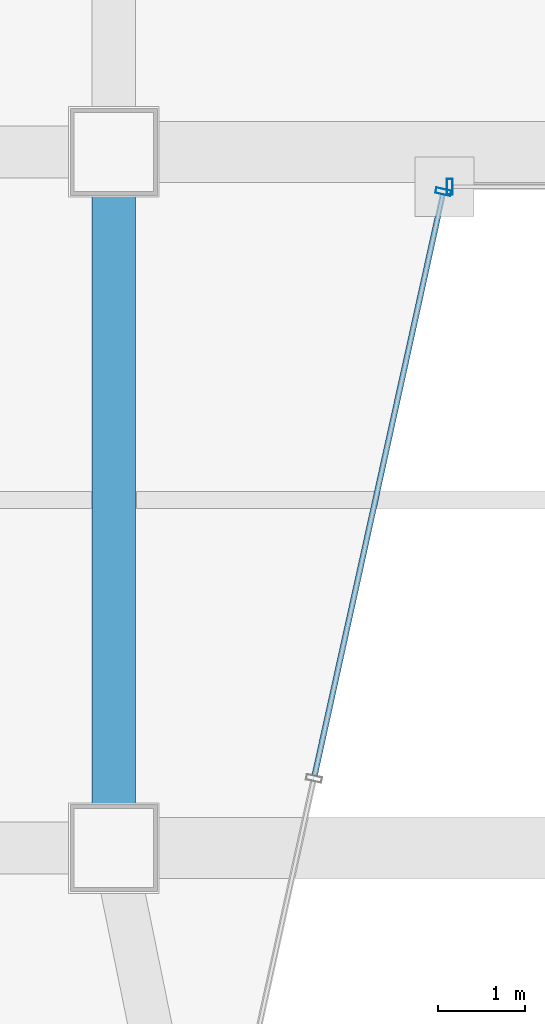
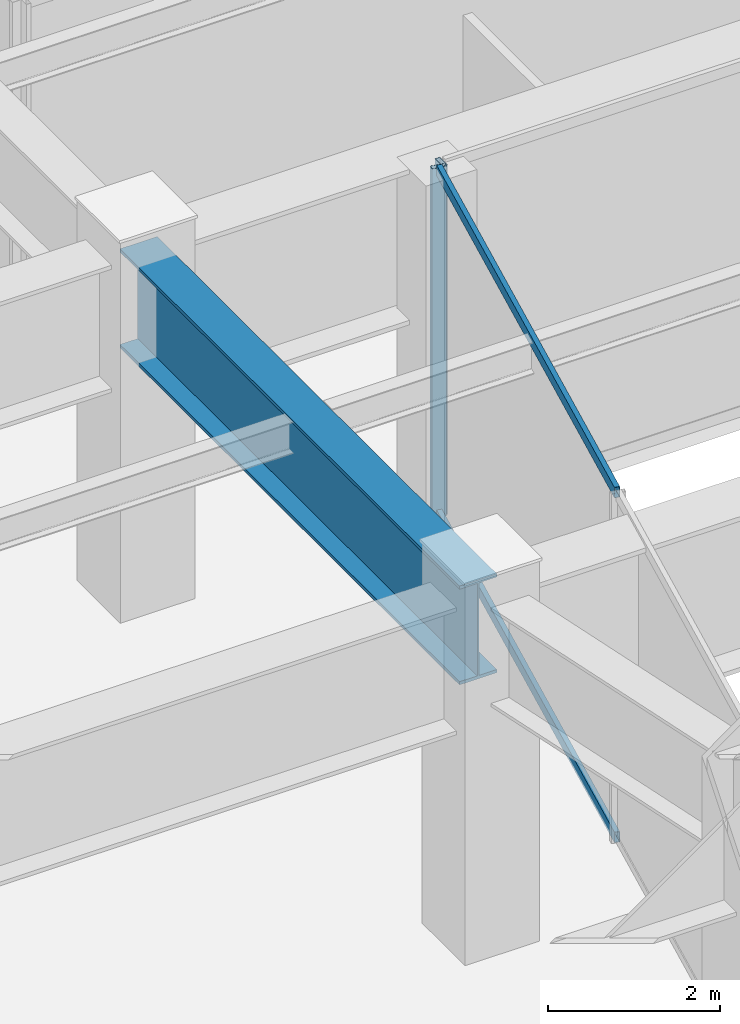
# One storey, part 8 of 42: 4 members, 1 beam, 2 elements without a shape of their own.
"""IFC4 building model written with IfcOpenShell, lengths in metres."""

from ifc_helpers import new_model, si_unit, direction, frame, origin, origin_2d, place, context, subcontext, project, spatial, hollow_rectangle, i_section, extrude, material, material_profile, profile_set, type_object, element, aggregate, save


model = new_model("IFC4")

# Units and contexts
model_context = context("Model", 3, precision=1e-05, world=origin(), true_north=direction((0.0, 1.0)))
body_context = subcontext(model_context, "Body", "Model", "MODEL_VIEW")
ifc_project = project(units=[si_unit("LENGTHUNIT", "METRE"), si_unit("AREAUNIT", "SQUARE_METRE"), si_unit("VOLUMEUNIT", "CUBIC_METRE"), si_unit("PLANEANGLEUNIT", "RADIAN"), si_unit("MASSUNIT", "GRAM", prefix="KILO")], contexts=[model_context])

# Site, building, storey
site_placement = place(None, origin())
site = spatial("IfcSite", under=ifc_project, at=site_placement, CompositionType="ELEMENT")
building_placement = place(site_placement, origin())
building = spatial("IfcBuilding", under=site, at=building_placement, Name="Saevonmaru Cultural Tower", CompositionType="ELEMENT")
storey_placement = place(building_placement, frame((0.0, 0.0, 33.0)))
storey = spatial("IfcBuildingStorey", under=building, at=storey_placement, Name="L06", CompositionType="ELEMENT", Elevation=33.0)

# Beam
ifc_material_1 = material(Name="Steel HSA600 (600 MPa)", Category="steel")
ifc_material_profile_1 = material_profile(ifc_material_1, i_section(OverallWidth=0.5, OverallDepth=1.39990234375, WebThickness=0.02392578125, FlangeThickness=0.044921875, at=origin_2d()), Name="PG-1400x500x24x45")
ifc_profile_set_1 = profile_set([ifc_material_profile_1], Name="Steel HSA600 (600 MPa)")
beam_type = type_object("IfcBeamType", Name="BM-TG-PG1400", PredefinedType="BEAM", material=ifc_profile_set_1)
beam_placement = place(storey_placement, frame((22.800048828125, 8.06005859375, 4.25), z_axis=(0.0, 1.0, 0.0), x_axis=(-1.0, 0.0, 0.0)))
element("IfcBeam", 1, at=beam_placement, inside=storey, type_object=beam_type, Name="L06 Podium Girder NS2-2", PredefinedType="BEAM", context=body_context, shape_type="SweptSolid", body=[
    extrude(i_section(OverallWidth=0.5, OverallDepth=1.39990234375, WebThickness=0.02392578125, FlangeThickness=0.044921875, at=origin_2d()), origin(), (0.0, 0.0, 1.0), 7.8798828125),
])

# Curtain wall, member
ifc_material_2 = material(Name="Satin Bronze Anodised Aluminium", Category="aluminium")
curtain_wall_type = type_object("IfcCurtainWallType", Name="CW-SKY-GLZ", PredefinedType="NOTDEFINED", material=ifc_material_2)
curtain_wall_1_placement = place(storey_placement, origin())
curtain_wall_1 = element("IfcCurtainWall", 2, at=curtain_wall_1_placement, inside=storey, type_object=curtain_wall_type, Name="L06 Unitised Curtain Wall E3", PredefinedType="NOTDEFINED")
ifc_material_profile_2 = material_profile(ifc_material_2, hollow_rectangle(XDim=0.06494140625, YDim=0.179931640625, WallThickness=0.00390625, at=origin_2d()), Name="ALU-MULL-180x65x4")
ifc_profile_set_2 = profile_set([ifc_material_profile_2], Name="Satin Bronze Anodised Aluminium")
member_type_1 = type_object("IfcMemberType", Name="ML-CW-180x65", PredefinedType="MULLION", material=ifc_profile_set_2)
member_1_placement = place(storey_placement, frame((26.587158203125, 15.54150390625, 0.0), z_axis=(0.0, 0.0, 1.0), x_axis=(0.215413319953, 0.976522965212, 0.0)))
member_1 = element("IfcMember", 3, at=member_1_placement, type_object=member_type_1, Name="CW-TW-L06-E3 mullion 3", PredefinedType="MULLION", context=body_context, shape_type="SweptSolid", body=[
    extrude(hollow_rectangle(XDim=0.06494140625, YDim=0.179931640625, WallThickness=0.00390625, at=origin_2d()), origin(), (0.0, 0.0, 1.0), 4.949951171875),
])

curtain_wall_2_placement = place(storey_placement, origin())
curtain_wall_2 = element("IfcCurtainWall", 4, at=curtain_wall_2_placement, inside=storey, type_object=curtain_wall_type, Name="L06 Unitised Curtain Wall E4", PredefinedType="NOTDEFINED")
member_2_placement = place(storey_placement, frame((26.659912109375, 15.60009765625, 0.0), z_axis=(0.0, 0.0, 1.0), x_axis=(1.0, 0.0, 0.0)))
member_2 = element("IfcMember", 5, at=member_2_placement, type_object=member_type_1, Name="CW-TW-L06-E4 mullion 1", PredefinedType="MULLION", context=body_context, shape_type="SweptSolid", body=[
    extrude(hollow_rectangle(XDim=0.06494140625, YDim=0.179931640625, WallThickness=0.00390625, at=origin_2d()), origin(), (0.0, 0.0, 1.0), 4.949951171875),
])
aggregate(curtain_wall_2, [member_2])

# Member
ifc_material_profile_3 = material_profile(ifc_material_2, hollow_rectangle(XDim=0.06494140625, YDim=0.14990234375, WallThickness=0.00390625, at=origin_2d()), Name="ALU-TRAN-150x65x4")
ifc_profile_set_3 = profile_set([ifc_material_profile_3], Name="Satin Bronze Anodised Aluminium")
member_type_2 = type_object("IfcMemberType", Name="TR-CW-150x65", PredefinedType="USERDEFINED", material=ifc_profile_set_3)
member_3_placement = place(storey_placement, frame((25.10693359375, 8.831787109375, 0.032470703125), z_axis=(0.215418166944, 0.976521895991, 0.0), x_axis=(-0.976521895991, 0.215418166944, 0.0)))
member_3 = element("IfcMember", 6, at=member_3_placement, type_object=member_type_2, Name="CW-TW-L06-E3 transom 2.1", ObjectType="TRANSOM", PredefinedType="USERDEFINED", context=body_context, shape_type="SweptSolid", body=[
    extrude(hollow_rectangle(XDim=0.06494140625, YDim=0.14990234375, WallThickness=0.00390625, at=origin_2d()), origin(), (0.0, 0.0, 1.0), 6.838623046875),
])

member_4_placement = place(storey_placement, frame((25.10693359375, 8.831787109375, 4.91748046875), z_axis=(0.215418166944, 0.976521895991, 0.0), x_axis=(-0.976521895991, 0.215418166944, 0.0)))
member_4 = element("IfcMember", 7, at=member_4_placement, type_object=member_type_2, Name="CW-TW-L06-E3 transom 2.2", ObjectType="TRANSOM", PredefinedType="USERDEFINED", context=body_context, shape_type="SweptSolid", body=[
    extrude(hollow_rectangle(XDim=0.06494140625, YDim=0.14990234375, WallThickness=0.00390625, at=origin_2d()), origin(), (0.0, 0.0, 1.0), 6.838623046875),
])

aggregate(curtain_wall_1, [member_1, member_3, member_4])

save(model, "model.ifc")
